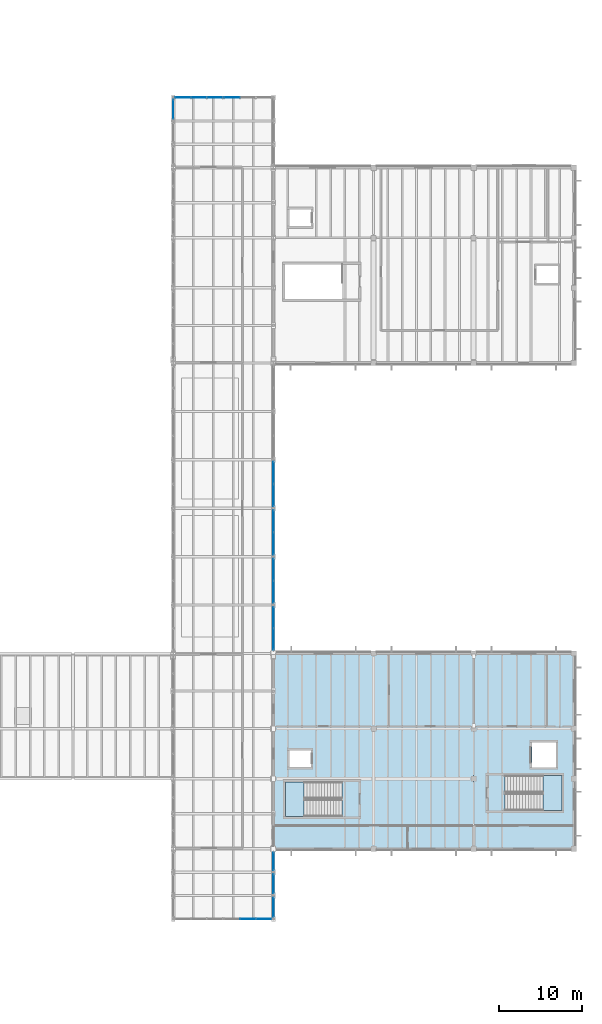
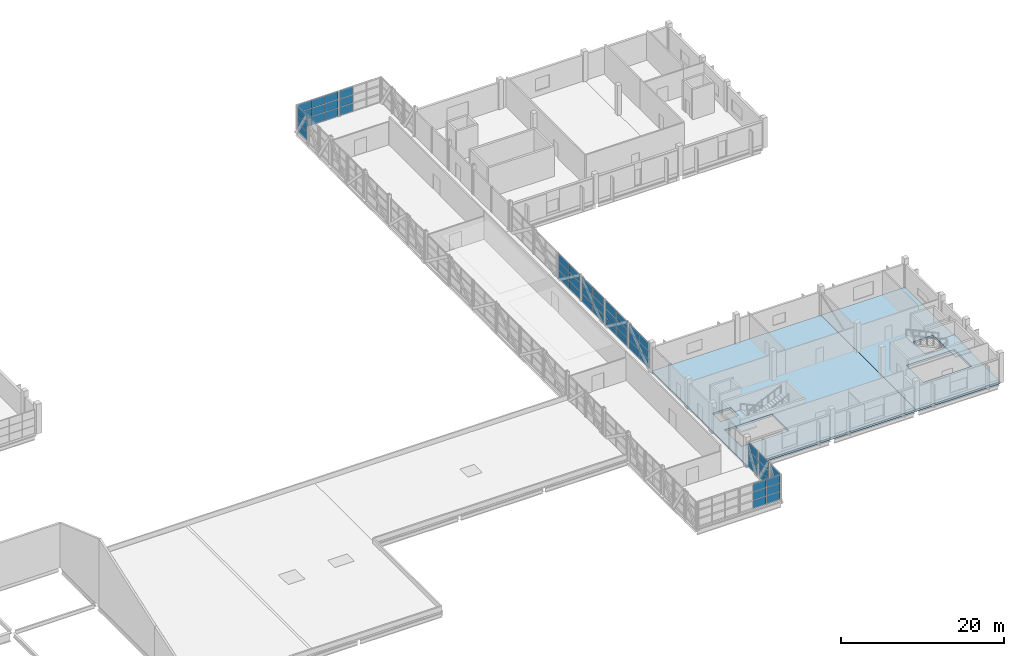
# One storey, part 43 of 63: 54 plates, 4 slabs, 13 elements without a shape of their own.
"""IFC4 building model written with IfcOpenShell, lengths in metres."""

from ifc_helpers import new_model, si_unit, direction, frame, origin, origin_2d, place, context, subcontext, project, spatial, polyline, rectangle, outline, extrude, material, layer, layer_set, type_object, element, aggregate, save


model = new_model("IFC4")

# Units and contexts
model_context = context("Model", 3, precision=1e-05, world=origin(), true_north=direction((0.0, 1.0)))
body_context = subcontext(model_context, "Body", "Model", "MODEL_VIEW")
ifc_project = project(units=[si_unit("LENGTHUNIT", "METRE"), si_unit("AREAUNIT", "SQUARE_METRE"), si_unit("VOLUMEUNIT", "CUBIC_METRE"), si_unit("PLANEANGLEUNIT", "RADIAN"), si_unit("MASSUNIT", "GRAM", prefix="KILO")], contexts=[model_context])

# Site, building, storey
site_placement = place(None, origin())
site = spatial("IfcSite", under=ifc_project, at=site_placement, CompositionType="ELEMENT")
building_placement = place(site_placement, origin())
building = spatial("IfcBuilding", under=site, at=building_placement, Name="Kelmvaro Bay Concert Hall", CompositionType="ELEMENT")
storey_placement = place(building_placement, frame((0.0, 0.0, 13.800048828125)))
storey = spatial("IfcBuildingStorey", under=building, at=storey_placement, Name="L03", CompositionType="ELEMENT", Elevation=13.800048828125)

# Curtain wall, plates
ifc_material_1 = material(Name="Anodised Aluminium and Low-E Insulated Glazing", Category="aluminium")
curtain_wall_type_1 = type_object("IfcCurtainWallType", Name="Bridge Cantilever Observation Glazing 3980", PredefinedType="USERDEFINED", material=ifc_material_1)
curtain_wall_1_placement = place(storey_placement, origin())
curtain_wall_1 = element("IfcCurtainWall", 1, at=curtain_wall_1_placement, inside=storey, type_object=curtain_wall_type_1, Name="Unitised Curtain Wall CW-BRG-E01", ObjectType="UNITISED GLAZING", PredefinedType="USERDEFINED")
ifc_material_2 = material(Name="Laminated Low-E Insulated Glass", Category="glass")
ifc_layer_1 = layer(ifc_material_2, 1.85009765625)
ifc_layer_set_1 = layer_set([ifc_layer_1], Name="Laminated Low-E Insulated Glass")
plate_type = type_object("IfcPlateType", Name="Bridge Truss Acoustic Glazing Panel 44", PredefinedType="CURTAIN_PANEL", material=ifc_layer_set_1)
plate_1_placement = place(storey_placement, frame((132.0, 8.60009765625, 0.032470703125), z_axis=(0.0, 0.0, 1.0), x_axis=(0.0, -1.0, 0.0)))
plate_1 = element("IfcPlate", 2, at=plate_1_placement, type_object=plate_type, Name="CW-BRG-E01 Insulated Glazing Panel 01-1", PredefinedType="CURTAIN_PANEL", context=body_context, shape_type="SweptSolid", body=[
    extrude(rectangle(XDim=2.294921875, YDim=0.0439453125, at=origin_2d()), origin(), (0.0, 0.0, 1.0), 1.20166015625),
])
plate_2_placement = place(storey_placement, frame((132.0, 8.60009765625, 1.299072265625), z_axis=(0.0, 0.0, 1.0), x_axis=(0.0, -1.0, 0.0)))
plate_2 = element("IfcPlate", 3, at=plate_2_placement, type_object=plate_type, Name="CW-BRG-E01 Insulated Glazing Panel 01-2", PredefinedType="CURTAIN_PANEL", context=body_context, shape_type="SweptSolid", body=[
    extrude(rectangle(XDim=2.294921875, YDim=0.0439453125, at=origin_2d()), origin(), (0.0, 0.0, 1.0), 1.20166015625),
])
plate_3_placement = place(storey_placement, frame((132.0, 8.60009765625, 2.56591796875), z_axis=(0.0, 0.0, 1.0), x_axis=(0.0, -1.0, 0.0)))
plate_3 = element("IfcPlate", 4, at=plate_3_placement, type_object=plate_type, Name="CW-BRG-E01 Insulated Glazing Panel 01-3", PredefinedType="CURTAIN_PANEL", context=body_context, shape_type="SweptSolid", body=[
    extrude(rectangle(XDim=2.294921875, YDim=0.0439453125, at=origin_2d()), origin(), (0.0, 0.0, 1.0), 1.20166015625),
])
aggregate(curtain_wall_1, [plate_1, plate_2, plate_3])

curtain_wall_2_placement = place(storey_placement, origin())
curtain_wall_2 = element("IfcCurtainWall", 5, at=curtain_wall_2_placement, inside=storey, type_object=curtain_wall_type_1, Name="Unitised Curtain Wall CW-BRG-E02", ObjectType="UNITISED GLAZING", PredefinedType="USERDEFINED")
plate_4_placement = place(storey_placement, frame((132.0, 11.39990234375, 0.032470703125), z_axis=(0.0, 0.0, 1.0), x_axis=(0.0, -1.0, 0.0)))
plate_4 = element("IfcPlate", 6, at=plate_4_placement, type_object=plate_type, Name="CW-BRG-E02 Insulated Glazing Panel 01-1", PredefinedType="CURTAIN_PANEL", context=body_context, shape_type="SweptSolid", body=[
    extrude(rectangle(XDim=2.294921875, YDim=0.0439453125, at=origin_2d()), origin(), (0.0, 0.0, 1.0), 1.20166015625),
])
plate_5_placement = place(storey_placement, frame((132.0, 11.39990234375, 1.299072265625), z_axis=(0.0, 0.0, 1.0), x_axis=(0.0, -1.0, 0.0)))
plate_5 = element("IfcPlate", 7, at=plate_5_placement, type_object=plate_type, Name="CW-BRG-E02 Insulated Glazing Panel 01-2", PredefinedType="CURTAIN_PANEL", context=body_context, shape_type="SweptSolid", body=[
    extrude(rectangle(XDim=2.294921875, YDim=0.0439453125, at=origin_2d()), origin(), (0.0, 0.0, 1.0), 1.20166015625),
])
plate_6_placement = place(storey_placement, frame((132.0, 11.39990234375, 2.56591796875), z_axis=(0.0, 0.0, 1.0), x_axis=(0.0, -1.0, 0.0)))
plate_6 = element("IfcPlate", 8, at=plate_6_placement, type_object=plate_type, Name="CW-BRG-E02 Insulated Glazing Panel 01-3", PredefinedType="CURTAIN_PANEL", context=body_context, shape_type="SweptSolid", body=[
    extrude(rectangle(XDim=2.294921875, YDim=0.0439453125, at=origin_2d()), origin(), (0.0, 0.0, 1.0), 1.20166015625),
])
aggregate(curtain_wall_2, [plate_4, plate_5, plate_6])

curtain_wall_3_placement = place(storey_placement, origin())
curtain_wall_3 = element("IfcCurtainWall", 9, at=curtain_wall_3_placement, inside=storey, type_object=curtain_wall_type_1, Name="Unitised Curtain Wall CW-BRG-E03", ObjectType="UNITISED GLAZING", PredefinedType="USERDEFINED")
plate_7_placement = place(storey_placement, frame((132.0, 14.10009765625, 0.032470703125), z_axis=(0.0, 0.0, 1.0), x_axis=(0.0, -1.0, 0.0)))
plate_7 = element("IfcPlate", 10, at=plate_7_placement, type_object=plate_type, Name="CW-BRG-E03 Insulated Glazing Panel 01-1", PredefinedType="CURTAIN_PANEL", context=body_context, shape_type="SweptSolid", body=[
    extrude(rectangle(XDim=2.094970703125, YDim=0.0439453125, at=origin_2d()), origin(), (0.0, 0.0, 1.0), 1.20166015625),
])
plate_8_placement = place(storey_placement, frame((132.0, 14.10009765625, 1.299072265625), z_axis=(0.0, 0.0, 1.0), x_axis=(0.0, -1.0, 0.0)))
plate_8 = element("IfcPlate", 11, at=plate_8_placement, type_object=plate_type, Name="CW-BRG-E03 Insulated Glazing Panel 01-2", PredefinedType="CURTAIN_PANEL", context=body_context, shape_type="SweptSolid", body=[
    extrude(rectangle(XDim=2.094970703125, YDim=0.0439453125, at=origin_2d()), origin(), (0.0, 0.0, 1.0), 1.20166015625),
])
plate_9_placement = place(storey_placement, frame((132.0, 14.10009765625, 2.56591796875), z_axis=(0.0, 0.0, 1.0), x_axis=(0.0, -1.0, 0.0)))
plate_9 = element("IfcPlate", 12, at=plate_9_placement, type_object=plate_type, Name="CW-BRG-E03 Insulated Glazing Panel 01-3", PredefinedType="CURTAIN_PANEL", context=body_context, shape_type="SweptSolid", body=[
    extrude(rectangle(XDim=2.094970703125, YDim=0.0439453125, at=origin_2d()), origin(), (0.0, 0.0, 1.0), 1.20166015625),
])
aggregate(curtain_wall_3, [plate_7, plate_8, plate_9])

ifc_material_3 = material(Name="Anodised Aluminium and Low-E Insulated Glazing", Category="aluminium")
curtain_wall_type_2 = type_object("IfcCurtainWallType", Name="Rehearsal Bridge Truss Curtain Wall 4020", PredefinedType="USERDEFINED", material=ifc_material_3)
curtain_wall_4_placement = place(storey_placement, origin())
curtain_wall_4 = element("IfcCurtainWall", 13, at=curtain_wall_4_placement, inside=storey, type_object=curtain_wall_type_2, Name="Unitised Curtain Wall CW-BRG-E09", ObjectType="UNITISED GLAZING", PredefinedType="USERDEFINED")
plate_10_placement = place(storey_placement, frame((132.0, 43.2900390625, 0.032470703125), z_axis=(0.0, 0.0, 1.0), x_axis=(0.0, -1.0, 0.0)))
plate_10 = element("IfcPlate", 14, at=plate_10_placement, type_object=plate_type, Name="CW-BRG-E09 Insulated Glazing Panel 01-1", PredefinedType="CURTAIN_PANEL", context=body_context, shape_type="SweptSolid", body=[
    extrude(rectangle(XDim=2.514892578125, YDim=0.0439453125, at=origin_2d()), origin(), (0.0, 0.0, 1.0), 1.20166015625),
])
plate_11_placement = place(storey_placement, frame((132.0, 43.2900390625, 1.299072265625), z_axis=(0.0, 0.0, 1.0), x_axis=(0.0, -1.0, 0.0)))
plate_11 = element("IfcPlate", 15, at=plate_11_placement, type_object=plate_type, Name="CW-BRG-E09 Insulated Glazing Panel 01-2", PredefinedType="CURTAIN_PANEL", context=body_context, shape_type="SweptSolid", body=[
    extrude(rectangle(XDim=2.514892578125, YDim=0.0439453125, at=origin_2d()), origin(), (0.0, 0.0, 1.0), 1.20166015625),
])
plate_12_placement = place(storey_placement, frame((132.0, 43.2900390625, 2.56591796875), z_axis=(0.0, 0.0, 1.0), x_axis=(0.0, -1.0, 0.0)))
plate_12 = element("IfcPlate", 16, at=plate_12_placement, type_object=plate_type, Name="CW-BRG-E09 Insulated Glazing Panel 01-3", PredefinedType="CURTAIN_PANEL", context=body_context, shape_type="SweptSolid", body=[
    extrude(rectangle(XDim=2.514892578125, YDim=0.0439453125, at=origin_2d()), origin(), (0.0, 0.0, 1.0), 1.20166015625),
])
plate_13_placement = place(storey_placement, frame((132.0, 40.7099609375, 0.032470703125), z_axis=(0.0, 0.0, 1.0), x_axis=(0.0, -1.0, 0.0)))
plate_13 = element("IfcPlate", 17, at=plate_13_placement, type_object=plate_type, Name="CW-BRG-E09 Insulated Glazing Panel 02-1", PredefinedType="CURTAIN_PANEL", context=body_context, shape_type="SweptSolid", body=[
    extrude(rectangle(XDim=2.514892578125, YDim=0.0439453125, at=origin_2d()), origin(), (0.0, 0.0, 1.0), 1.20166015625),
])
plate_14_placement = place(storey_placement, frame((132.0, 40.7099609375, 1.299072265625), z_axis=(0.0, 0.0, 1.0), x_axis=(0.0, -1.0, 0.0)))
plate_14 = element("IfcPlate", 18, at=plate_14_placement, type_object=plate_type, Name="CW-BRG-E09 Insulated Glazing Panel 02-2", PredefinedType="CURTAIN_PANEL", context=body_context, shape_type="SweptSolid", body=[
    extrude(rectangle(XDim=2.514892578125, YDim=0.0439453125, at=origin_2d()), origin(), (0.0, 0.0, 1.0), 1.20166015625),
])
plate_15_placement = place(storey_placement, frame((132.0, 40.7099609375, 2.56591796875), z_axis=(0.0, 0.0, 1.0), x_axis=(0.0, -1.0, 0.0)))
plate_15 = element("IfcPlate", 19, at=plate_15_placement, type_object=plate_type, Name="CW-BRG-E09 Insulated Glazing Panel 02-3", PredefinedType="CURTAIN_PANEL", context=body_context, shape_type="SweptSolid", body=[
    extrude(rectangle(XDim=2.514892578125, YDim=0.0439453125, at=origin_2d()), origin(), (0.0, 0.0, 1.0), 1.20166015625),
])
aggregate(curtain_wall_4, [plate_10, plate_11, plate_12, plate_13, plate_14, plate_15])

curtain_wall_5_placement = place(storey_placement, origin())
curtain_wall_5 = element("IfcCurtainWall", 20, at=curtain_wall_5_placement, inside=storey, type_object=curtain_wall_type_2, Name="Unitised Curtain Wall CW-BRG-E10", ObjectType="UNITISED GLAZING", PredefinedType="USERDEFINED")
plate_16_placement = place(storey_placement, frame((132.0, 49.0400390625, 0.032470703125), z_axis=(0.0, 0.0, 1.0), x_axis=(0.0, -1.0, 0.0)))
plate_16 = element("IfcPlate", 21, at=plate_16_placement, type_object=plate_type, Name="CW-BRG-E10 Insulated Glazing Panel 01-1", PredefinedType="CURTAIN_PANEL", context=body_context, shape_type="SweptSolid", body=[
    extrude(rectangle(XDim=2.614990234375, YDim=0.0439453125, at=origin_2d()), origin(), (0.0, 0.0, 1.0), 1.20166015625),
])
plate_17_placement = place(storey_placement, frame((132.0, 49.0400390625, 1.299072265625), z_axis=(0.0, 0.0, 1.0), x_axis=(0.0, -1.0, 0.0)))
plate_17 = element("IfcPlate", 22, at=plate_17_placement, type_object=plate_type, Name="CW-BRG-E10 Insulated Glazing Panel 01-2", PredefinedType="CURTAIN_PANEL", context=body_context, shape_type="SweptSolid", body=[
    extrude(rectangle(XDim=2.614990234375, YDim=0.0439453125, at=origin_2d()), origin(), (0.0, 0.0, 1.0), 1.20166015625),
])
plate_18_placement = place(storey_placement, frame((132.0, 49.0400390625, 2.56591796875), z_axis=(0.0, 0.0, 1.0), x_axis=(0.0, -1.0, 0.0)))
plate_18 = element("IfcPlate", 23, at=plate_18_placement, type_object=plate_type, Name="CW-BRG-E10 Insulated Glazing Panel 01-3", PredefinedType="CURTAIN_PANEL", context=body_context, shape_type="SweptSolid", body=[
    extrude(rectangle(XDim=2.614990234375, YDim=0.0439453125, at=origin_2d()), origin(), (0.0, 0.0, 1.0), 1.20166015625),
])
plate_19_placement = place(storey_placement, frame((132.0, 46.360107421875, 0.032470703125), z_axis=(0.0, 0.0, 1.0), x_axis=(0.0, -1.0, 0.0)))
plate_19 = element("IfcPlate", 24, at=plate_19_placement, type_object=plate_type, Name="CW-BRG-E10 Insulated Glazing Panel 02-1", PredefinedType="CURTAIN_PANEL", context=body_context, shape_type="SweptSolid", body=[
    extrude(rectangle(XDim=2.614990234375, YDim=0.0439453125, at=origin_2d()), origin(), (0.0, 0.0, 1.0), 1.20166015625),
])
plate_20_placement = place(storey_placement, frame((132.0, 46.360107421875, 1.299072265625), z_axis=(0.0, 0.0, 1.0), x_axis=(0.0, -1.0, 0.0)))
plate_20 = element("IfcPlate", 25, at=plate_20_placement, type_object=plate_type, Name="CW-BRG-E10 Insulated Glazing Panel 02-2", PredefinedType="CURTAIN_PANEL", context=body_context, shape_type="SweptSolid", body=[
    extrude(rectangle(XDim=2.614990234375, YDim=0.0439453125, at=origin_2d()), origin(), (0.0, 0.0, 1.0), 1.20166015625),
])
plate_21_placement = place(storey_placement, frame((132.0, 46.360107421875, 2.56591796875), z_axis=(0.0, 0.0, 1.0), x_axis=(0.0, -1.0, 0.0)))
plate_21 = element("IfcPlate", 26, at=plate_21_placement, type_object=plate_type, Name="CW-BRG-E10 Insulated Glazing Panel 02-3", PredefinedType="CURTAIN_PANEL", context=body_context, shape_type="SweptSolid", body=[
    extrude(rectangle(XDim=2.614990234375, YDim=0.0439453125, at=origin_2d()), origin(), (0.0, 0.0, 1.0), 1.20166015625),
])
aggregate(curtain_wall_5, [plate_16, plate_17, plate_18, plate_19, plate_20, plate_21])

curtain_wall_6_placement = place(storey_placement, origin())
curtain_wall_6 = element("IfcCurtainWall", 27, at=curtain_wall_6_placement, inside=storey, type_object=curtain_wall_type_2, Name="Unitised Curtain Wall CW-BRG-E11", ObjectType="UNITISED GLAZING", PredefinedType="USERDEFINED")
plate_22_placement = place(storey_placement, frame((132.0, 54.840087890625, 0.032470703125), z_axis=(0.0, 0.0, 1.0), x_axis=(0.0, -1.0, 0.0)))
plate_22 = element("IfcPlate", 28, at=plate_22_placement, type_object=plate_type, Name="CW-BRG-E11 Insulated Glazing Panel 01-1", PredefinedType="CURTAIN_PANEL", context=body_context, shape_type="SweptSolid", body=[
    extrude(rectangle(XDim=2.614990234375, YDim=0.0439453125, at=origin_2d()), origin(), (0.0, 0.0, 1.0), 1.20166015625),
])
plate_23_placement = place(storey_placement, frame((132.0, 54.840087890625, 1.299072265625), z_axis=(0.0, 0.0, 1.0), x_axis=(0.0, -1.0, 0.0)))
plate_23 = element("IfcPlate", 29, at=plate_23_placement, type_object=plate_type, Name="CW-BRG-E11 Insulated Glazing Panel 01-2", PredefinedType="CURTAIN_PANEL", context=body_context, shape_type="SweptSolid", body=[
    extrude(rectangle(XDim=2.614990234375, YDim=0.0439453125, at=origin_2d()), origin(), (0.0, 0.0, 1.0), 1.20166015625),
])
plate_24_placement = place(storey_placement, frame((132.0, 54.840087890625, 2.56591796875), z_axis=(0.0, 0.0, 1.0), x_axis=(0.0, -1.0, 0.0)))
plate_24 = element("IfcPlate", 30, at=plate_24_placement, type_object=plate_type, Name="CW-BRG-E11 Insulated Glazing Panel 01-3", PredefinedType="CURTAIN_PANEL", context=body_context, shape_type="SweptSolid", body=[
    extrude(rectangle(XDim=2.614990234375, YDim=0.0439453125, at=origin_2d()), origin(), (0.0, 0.0, 1.0), 1.20166015625),
])
plate_25_placement = place(storey_placement, frame((132.0, 52.159912109375, 0.032470703125), z_axis=(0.0, 0.0, 1.0), x_axis=(0.0, -1.0, 0.0)))
plate_25 = element("IfcPlate", 31, at=plate_25_placement, type_object=plate_type, Name="CW-BRG-E11 Insulated Glazing Panel 02-1", PredefinedType="CURTAIN_PANEL", context=body_context, shape_type="SweptSolid", body=[
    extrude(rectangle(XDim=2.614990234375, YDim=0.0439453125, at=origin_2d()), origin(), (0.0, 0.0, 1.0), 1.20166015625),
])
plate_26_placement = place(storey_placement, frame((132.0, 52.159912109375, 1.299072265625), z_axis=(0.0, 0.0, 1.0), x_axis=(0.0, -1.0, 0.0)))
plate_26 = element("IfcPlate", 32, at=plate_26_placement, type_object=plate_type, Name="CW-BRG-E11 Insulated Glazing Panel 02-2", PredefinedType="CURTAIN_PANEL", context=body_context, shape_type="SweptSolid", body=[
    extrude(rectangle(XDim=2.614990234375, YDim=0.0439453125, at=origin_2d()), origin(), (0.0, 0.0, 1.0), 1.20166015625),
])
plate_27_placement = place(storey_placement, frame((132.0, 52.159912109375, 2.56591796875), z_axis=(0.0, 0.0, 1.0), x_axis=(0.0, -1.0, 0.0)))
plate_27 = element("IfcPlate", 33, at=plate_27_placement, type_object=plate_type, Name="CW-BRG-E11 Insulated Glazing Panel 02-3", PredefinedType="CURTAIN_PANEL", context=body_context, shape_type="SweptSolid", body=[
    extrude(rectangle(XDim=2.614990234375, YDim=0.0439453125, at=origin_2d()), origin(), (0.0, 0.0, 1.0), 1.20166015625),
])
aggregate(curtain_wall_6, [plate_22, plate_23, plate_24, plate_25, plate_26, plate_27])

curtain_wall_7_placement = place(storey_placement, origin())
curtain_wall_7 = element("IfcCurtainWall", 34, at=curtain_wall_7_placement, inside=storey, type_object=curtain_wall_type_2, Name="Unitised Curtain Wall CW-BRG-E12", ObjectType="UNITISED GLAZING", PredefinedType="USERDEFINED")
plate_28_placement = place(storey_placement, frame((132.0, 60.639892578125, 0.032470703125), z_axis=(0.0, 0.0, 1.0), x_axis=(0.0, -1.0, 0.0)))
plate_28 = element("IfcPlate", 35, at=plate_28_placement, type_object=plate_type, Name="CW-BRG-E12 Insulated Glazing Panel 01-1", PredefinedType="CURTAIN_PANEL", context=body_context, shape_type="SweptSolid", body=[
    extrude(rectangle(XDim=2.614990234375, YDim=0.0439453125, at=origin_2d()), origin(), (0.0, 0.0, 1.0), 1.20166015625),
])
plate_29_placement = place(storey_placement, frame((132.0, 60.639892578125, 1.299072265625), z_axis=(0.0, 0.0, 1.0), x_axis=(0.0, -1.0, 0.0)))
plate_29 = element("IfcPlate", 36, at=plate_29_placement, type_object=plate_type, Name="CW-BRG-E12 Insulated Glazing Panel 01-2", PredefinedType="CURTAIN_PANEL", context=body_context, shape_type="SweptSolid", body=[
    extrude(rectangle(XDim=2.614990234375, YDim=0.0439453125, at=origin_2d()), origin(), (0.0, 0.0, 1.0), 1.20166015625),
])
plate_30_placement = place(storey_placement, frame((132.0, 60.639892578125, 2.56591796875), z_axis=(0.0, 0.0, 1.0), x_axis=(0.0, -1.0, 0.0)))
plate_30 = element("IfcPlate", 37, at=plate_30_placement, type_object=plate_type, Name="CW-BRG-E12 Insulated Glazing Panel 01-3", PredefinedType="CURTAIN_PANEL", context=body_context, shape_type="SweptSolid", body=[
    extrude(rectangle(XDim=2.614990234375, YDim=0.0439453125, at=origin_2d()), origin(), (0.0, 0.0, 1.0), 1.20166015625),
])
plate_31_placement = place(storey_placement, frame((132.0, 57.9599609375, 0.032470703125), z_axis=(0.0, 0.0, 1.0), x_axis=(0.0, -1.0, 0.0)))
plate_31 = element("IfcPlate", 38, at=plate_31_placement, type_object=plate_type, Name="CW-BRG-E12 Insulated Glazing Panel 02-1", PredefinedType="CURTAIN_PANEL", context=body_context, shape_type="SweptSolid", body=[
    extrude(rectangle(XDim=2.614990234375, YDim=0.0439453125, at=origin_2d()), origin(), (0.0, 0.0, 1.0), 1.20166015625),
])
plate_32_placement = place(storey_placement, frame((132.0, 57.9599609375, 1.299072265625), z_axis=(0.0, 0.0, 1.0), x_axis=(0.0, -1.0, 0.0)))
plate_32 = element("IfcPlate", 39, at=plate_32_placement, type_object=plate_type, Name="CW-BRG-E12 Insulated Glazing Panel 02-2", PredefinedType="CURTAIN_PANEL", context=body_context, shape_type="SweptSolid", body=[
    extrude(rectangle(XDim=2.614990234375, YDim=0.0439453125, at=origin_2d()), origin(), (0.0, 0.0, 1.0), 1.20166015625),
])
plate_33_placement = place(storey_placement, frame((132.0, 57.9599609375, 2.56591796875), z_axis=(0.0, 0.0, 1.0), x_axis=(0.0, -1.0, 0.0)))
plate_33 = element("IfcPlate", 40, at=plate_33_placement, type_object=plate_type, Name="CW-BRG-E12 Insulated Glazing Panel 02-3", PredefinedType="CURTAIN_PANEL", context=body_context, shape_type="SweptSolid", body=[
    extrude(rectangle(XDim=2.614990234375, YDim=0.0439453125, at=origin_2d()), origin(), (0.0, 0.0, 1.0), 1.20166015625),
])
aggregate(curtain_wall_7, [plate_28, plate_29, plate_30, plate_31, plate_32, plate_33])

curtain_wall_8_placement = place(storey_placement, origin())
curtain_wall_8 = element("IfcCurtainWall", 41, at=curtain_wall_8_placement, inside=storey, type_object=curtain_wall_type_1, Name="Unitised Curtain Wall CW-BRG-W22", ObjectType="UNITISED GLAZING", PredefinedType="USERDEFINED")
plate_34_placement = place(storey_placement, frame((120.0, 104.199951171875, 0.032470703125), z_axis=(0.0, 0.0, 1.0), x_axis=(0.0, 1.0, 0.0)))
plate_34 = element("IfcPlate", 42, at=plate_34_placement, type_object=plate_type, Name="CW-BRG-W22 Insulated Glazing Panel 01-1", PredefinedType="CURTAIN_PANEL", context=body_context, shape_type="SweptSolid", body=[
    extrude(rectangle(XDim=2.294921875, YDim=0.0439453125, at=origin_2d()), origin(), (0.0, 0.0, 1.0), 1.20166015625),
])
plate_35_placement = place(storey_placement, frame((120.0, 104.199951171875, 1.299072265625), z_axis=(0.0, 0.0, 1.0), x_axis=(0.0, 1.0, 0.0)))
plate_35 = element("IfcPlate", 43, at=plate_35_placement, type_object=plate_type, Name="CW-BRG-W22 Insulated Glazing Panel 01-2", PredefinedType="CURTAIN_PANEL", context=body_context, shape_type="SweptSolid", body=[
    extrude(rectangle(XDim=2.294921875, YDim=0.0439453125, at=origin_2d()), origin(), (0.0, 0.0, 1.0), 1.20166015625),
])
plate_36_placement = place(storey_placement, frame((120.0, 104.199951171875, 2.56591796875), z_axis=(0.0, 0.0, 1.0), x_axis=(0.0, 1.0, 0.0)))
plate_36 = element("IfcPlate", 44, at=plate_36_placement, type_object=plate_type, Name="CW-BRG-W22 Insulated Glazing Panel 01-3", PredefinedType="CURTAIN_PANEL", context=body_context, shape_type="SweptSolid", body=[
    extrude(rectangle(XDim=2.294921875, YDim=0.0439453125, at=origin_2d()), origin(), (0.0, 0.0, 1.0), 1.20166015625),
])
aggregate(curtain_wall_8, [plate_34, plate_35, plate_36])

curtain_wall_9_placement = place(storey_placement, origin())
curtain_wall_9 = element("IfcCurtainWall", 45, at=curtain_wall_9_placement, inside=storey, type_object=curtain_wall_type_1, Name="Unitised Curtain Wall CW-BRG-NEND1", ObjectType="UNITISED GLAZING", PredefinedType="USERDEFINED")
plate_37_placement = place(storey_placement, frame((121.166748046875, 105.60009765625, 0.032470703125), z_axis=(0.0, 0.0, 1.0), x_axis=(1.0, 0.0, 0.0)))
plate_37 = element("IfcPlate", 46, at=plate_37_placement, type_object=plate_type, Name="CW-BRG-NEND1 Insulated Glazing Panel 01-1", PredefinedType="CURTAIN_PANEL", context=body_context, shape_type="SweptSolid", body=[
    extrude(rectangle(XDim=1.828369140625, YDim=0.0439453125, at=origin_2d()), origin(), (0.0, 0.0, 1.0), 1.20166015625),
])
plate_38_placement = place(storey_placement, frame((121.166748046875, 105.60009765625, 1.299072265625), z_axis=(0.0, 0.0, 1.0), x_axis=(1.0, 0.0, 0.0)))
plate_38 = element("IfcPlate", 47, at=plate_38_placement, type_object=plate_type, Name="CW-BRG-NEND1 Insulated Glazing Panel 01-2", PredefinedType="CURTAIN_PANEL", context=body_context, shape_type="SweptSolid", body=[
    extrude(rectangle(XDim=1.828369140625, YDim=0.0439453125, at=origin_2d()), origin(), (0.0, 0.0, 1.0), 1.20166015625),
])
plate_39_placement = place(storey_placement, frame((121.166748046875, 105.60009765625, 2.56591796875), z_axis=(0.0, 0.0, 1.0), x_axis=(1.0, 0.0, 0.0)))
plate_39 = element("IfcPlate", 48, at=plate_39_placement, type_object=plate_type, Name="CW-BRG-NEND1 Insulated Glazing Panel 01-3", PredefinedType="CURTAIN_PANEL", context=body_context, shape_type="SweptSolid", body=[
    extrude(rectangle(XDim=1.828369140625, YDim=0.0439453125, at=origin_2d()), origin(), (0.0, 0.0, 1.0), 1.20166015625),
])
plate_40_placement = place(storey_placement, frame((123.06005859375, 105.60009765625, 0.032470703125), z_axis=(0.0, 0.0, 1.0), x_axis=(1.0, 0.0, 0.0)))
plate_40 = element("IfcPlate", 49, at=plate_40_placement, type_object=plate_type, Name="CW-BRG-NEND1 Insulated Glazing Panel 02-1", PredefinedType="CURTAIN_PANEL", context=body_context, shape_type="SweptSolid", body=[
    extrude(rectangle(XDim=1.828369140625, YDim=0.0439453125, at=origin_2d()), origin(), (0.0, 0.0, 1.0), 1.20166015625),
])
plate_41_placement = place(storey_placement, frame((123.06005859375, 105.60009765625, 1.299072265625), z_axis=(0.0, 0.0, 1.0), x_axis=(1.0, 0.0, 0.0)))
plate_41 = element("IfcPlate", 50, at=plate_41_placement, type_object=plate_type, Name="CW-BRG-NEND1 Insulated Glazing Panel 02-2", PredefinedType="CURTAIN_PANEL", context=body_context, shape_type="SweptSolid", body=[
    extrude(rectangle(XDim=1.828369140625, YDim=0.0439453125, at=origin_2d()), origin(), (0.0, 0.0, 1.0), 1.20166015625),
])
plate_42_placement = place(storey_placement, frame((123.06005859375, 105.60009765625, 2.56591796875), z_axis=(0.0, 0.0, 1.0), x_axis=(1.0, 0.0, 0.0)))
plate_42 = element("IfcPlate", 51, at=plate_42_placement, type_object=plate_type, Name="CW-BRG-NEND1 Insulated Glazing Panel 02-3", PredefinedType="CURTAIN_PANEL", context=body_context, shape_type="SweptSolid", body=[
    extrude(rectangle(XDim=1.828369140625, YDim=0.0439453125, at=origin_2d()), origin(), (0.0, 0.0, 1.0), 1.20166015625),
])
plate_43_placement = place(storey_placement, frame((124.953369140625, 105.60009765625, 0.032470703125), z_axis=(0.0, 0.0, 1.0), x_axis=(1.0, 0.0, 0.0)))
plate_43 = element("IfcPlate", 52, at=plate_43_placement, type_object=plate_type, Name="CW-BRG-NEND1 Insulated Glazing Panel 03-1", PredefinedType="CURTAIN_PANEL", context=body_context, shape_type="SweptSolid", body=[
    extrude(rectangle(XDim=1.828369140625, YDim=0.0439453125, at=origin_2d()), origin(), (0.0, 0.0, 1.0), 1.20166015625),
])
plate_44_placement = place(storey_placement, frame((124.953369140625, 105.60009765625, 1.299072265625), z_axis=(0.0, 0.0, 1.0), x_axis=(1.0, 0.0, 0.0)))
plate_44 = element("IfcPlate", 53, at=plate_44_placement, type_object=plate_type, Name="CW-BRG-NEND1 Insulated Glazing Panel 03-2", PredefinedType="CURTAIN_PANEL", context=body_context, shape_type="SweptSolid", body=[
    extrude(rectangle(XDim=1.828369140625, YDim=0.0439453125, at=origin_2d()), origin(), (0.0, 0.0, 1.0), 1.20166015625),
])
plate_45_placement = place(storey_placement, frame((124.953369140625, 105.60009765625, 2.56591796875), z_axis=(0.0, 0.0, 1.0), x_axis=(1.0, 0.0, 0.0)))
plate_45 = element("IfcPlate", 54, at=plate_45_placement, type_object=plate_type, Name="CW-BRG-NEND1 Insulated Glazing Panel 03-3", PredefinedType="CURTAIN_PANEL", context=body_context, shape_type="SweptSolid", body=[
    extrude(rectangle(XDim=1.828369140625, YDim=0.0439453125, at=origin_2d()), origin(), (0.0, 0.0, 1.0), 1.20166015625),
])
aggregate(curtain_wall_9, [plate_37, plate_38, plate_39, plate_40, plate_41, plate_42, plate_43, plate_44, plate_45])

curtain_wall_10_placement = place(storey_placement, origin())
curtain_wall_10 = element("IfcCurtainWall", 55, at=curtain_wall_10_placement, inside=storey, type_object=curtain_wall_type_1, Name="Unitised Curtain Wall CW-BRG-SEND2", ObjectType="UNITISED GLAZING", PredefinedType="USERDEFINED")
plate_46_placement = place(storey_placement, frame((130.833251953125, 7.199951171875, 0.032470703125), z_axis=(0.0, 0.0, 1.0), x_axis=(-1.0, 0.0, 0.0)))
plate_46 = element("IfcPlate", 56, at=plate_46_placement, type_object=plate_type, Name="CW-BRG-SEND2 Insulated Glazing Panel 01-1", PredefinedType="CURTAIN_PANEL", context=body_context, shape_type="SweptSolid", body=[
    extrude(rectangle(XDim=1.828369140625, YDim=0.0439453125, at=origin_2d()), origin(), (0.0, 0.0, 1.0), 1.20166015625),
])
plate_47_placement = place(storey_placement, frame((130.833251953125, 7.199951171875, 1.299072265625), z_axis=(0.0, 0.0, 1.0), x_axis=(-1.0, 0.0, 0.0)))
plate_47 = element("IfcPlate", 57, at=plate_47_placement, type_object=plate_type, Name="CW-BRG-SEND2 Insulated Glazing Panel 01-2", PredefinedType="CURTAIN_PANEL", context=body_context, shape_type="SweptSolid", body=[
    extrude(rectangle(XDim=1.828369140625, YDim=0.0439453125, at=origin_2d()), origin(), (0.0, 0.0, 1.0), 1.20166015625),
])
plate_48_placement = place(storey_placement, frame((130.833251953125, 7.199951171875, 2.56591796875), z_axis=(0.0, 0.0, 1.0), x_axis=(-1.0, 0.0, 0.0)))
plate_48 = element("IfcPlate", 58, at=plate_48_placement, type_object=plate_type, Name="CW-BRG-SEND2 Insulated Glazing Panel 01-3", PredefinedType="CURTAIN_PANEL", context=body_context, shape_type="SweptSolid", body=[
    extrude(rectangle(XDim=1.828369140625, YDim=0.0439453125, at=origin_2d()), origin(), (0.0, 0.0, 1.0), 1.20166015625),
])
plate_49_placement = place(storey_placement, frame((128.93994140625, 7.199951171875, 0.032470703125), z_axis=(0.0, 0.0, 1.0), x_axis=(-1.0, 0.0, 0.0)))
plate_49 = element("IfcPlate", 59, at=plate_49_placement, type_object=plate_type, Name="CW-BRG-SEND2 Insulated Glazing Panel 02-1", PredefinedType="CURTAIN_PANEL", context=body_context, shape_type="SweptSolid", body=[
    extrude(rectangle(XDim=1.828369140625, YDim=0.0439453125, at=origin_2d()), origin(), (0.0, 0.0, 1.0), 1.20166015625),
])
plate_50_placement = place(storey_placement, frame((128.93994140625, 7.199951171875, 1.299072265625), z_axis=(0.0, 0.0, 1.0), x_axis=(-1.0, 0.0, 0.0)))
plate_50 = element("IfcPlate", 60, at=plate_50_placement, type_object=plate_type, Name="CW-BRG-SEND2 Insulated Glazing Panel 02-2", PredefinedType="CURTAIN_PANEL", context=body_context, shape_type="SweptSolid", body=[
    extrude(rectangle(XDim=1.828369140625, YDim=0.0439453125, at=origin_2d()), origin(), (0.0, 0.0, 1.0), 1.20166015625),
])
plate_51_placement = place(storey_placement, frame((128.93994140625, 7.199951171875, 2.56591796875), z_axis=(0.0, 0.0, 1.0), x_axis=(-1.0, 0.0, 0.0)))
plate_51 = element("IfcPlate", 61, at=plate_51_placement, type_object=plate_type, Name="CW-BRG-SEND2 Insulated Glazing Panel 02-3", PredefinedType="CURTAIN_PANEL", context=body_context, shape_type="SweptSolid", body=[
    extrude(rectangle(XDim=1.828369140625, YDim=0.0439453125, at=origin_2d()), origin(), (0.0, 0.0, 1.0), 1.20166015625),
])
aggregate(curtain_wall_10, [plate_46, plate_47, plate_48, plate_49, plate_50, plate_51])

curtain_wall_11_placement = place(storey_placement, origin())
curtain_wall_11 = element("IfcCurtainWall", 62, at=curtain_wall_11_placement, inside=storey, type_object=curtain_wall_type_1, Name="Unitised Curtain Wall CW-BRG-NEND2", ObjectType="UNITISED GLAZING", PredefinedType="USERDEFINED")
plate_52_placement = place(storey_placement, frame((127.046630859375, 105.60009765625, 0.032470703125), z_axis=(0.0, 0.0, 1.0), x_axis=(1.0, 0.0, 0.0)))
plate_52 = element("IfcPlate", 63, at=plate_52_placement, type_object=plate_type, Name="CW-BRG-NEND2 Insulated Glazing Panel 01-1", PredefinedType="CURTAIN_PANEL", context=body_context, shape_type="SweptSolid", body=[
    extrude(rectangle(XDim=1.828369140625, YDim=0.0439453125, at=origin_2d()), origin(), (0.0, 0.0, 1.0), 1.20166015625),
])
plate_53_placement = place(storey_placement, frame((127.046630859375, 105.60009765625, 1.299072265625), z_axis=(0.0, 0.0, 1.0), x_axis=(1.0, 0.0, 0.0)))
plate_53 = element("IfcPlate", 64, at=plate_53_placement, type_object=plate_type, Name="CW-BRG-NEND2 Insulated Glazing Panel 01-2", PredefinedType="CURTAIN_PANEL", context=body_context, shape_type="SweptSolid", body=[
    extrude(rectangle(XDim=1.828369140625, YDim=0.0439453125, at=origin_2d()), origin(), (0.0, 0.0, 1.0), 1.20166015625),
])
plate_54_placement = place(storey_placement, frame((127.046630859375, 105.60009765625, 2.56591796875), z_axis=(0.0, 0.0, 1.0), x_axis=(1.0, 0.0, 0.0)))
plate_54 = element("IfcPlate", 65, at=plate_54_placement, type_object=plate_type, Name="CW-BRG-NEND2 Insulated Glazing Panel 01-3", PredefinedType="CURTAIN_PANEL", context=body_context, shape_type="SweptSolid", body=[
    extrude(rectangle(XDim=1.828369140625, YDim=0.0439453125, at=origin_2d()), origin(), (0.0, 0.0, 1.0), 1.20166015625),
])
aggregate(curtain_wall_11, [plate_52, plate_53, plate_54])

# Stair, slab
ifc_material_4 = material(Name="Concrete C40/50", Category="concrete")
stair_type_1 = type_object("IfcStairType", Name="Core Dogleg Exit Stair 1980", PredefinedType="USERDEFINED", material=ifc_material_4)
stair_1_placement = place(storey_placement, origin())
stair_1 = element("IfcStair", 66, at=stair_1_placement, inside=storey, type_object=stair_type_1, Name="L03 Exit Stair ST-05", ObjectType="TWO_RETURN_STAIR", PredefinedType="USERDEFINED")
ifc_material_5 = material(Name="Concrete C40/50", Category="concrete")
ifc_layer_2 = layer(ifc_material_5, 0.199951171875)
ifc_layer_set_2 = layer_set([ifc_layer_2], Name="Concrete C40/50")
slab_type_1 = type_object("IfcSlabType", Name="Core Stair Half-Landing Slab 200", PredefinedType="LANDING", material=ifc_layer_set_2)
slab_1_placement = place(storey_placement, frame((0.0, 0.0, 2.050048828125)))
slab_1 = element("IfcSlab", 67, at=slab_1_placement, type_object=slab_type_1, Name="ST-05 landing 1", PredefinedType="LANDING", context=body_context, shape_type="SweptSolid", body=[
    extrude(outline(polyline([(135.696044921875, 23.60009765625), (133.449951171875, 23.60009765625), (133.449951171875, 19.489990234375), (135.696044921875, 19.489990234375), (135.696044921875, 23.60009765625)])), origin(), (0.0, 0.0, 1.0), 0.199951171875),
])
aggregate(stair_1, [slab_1])

ifc_material_6 = material(Name="Concrete C40/50", Category="concrete")
stair_type_2 = type_object("IfcStairType", Name="Core Dogleg Exit Stair 2000", PredefinedType="USERDEFINED", material=ifc_material_6)
stair_2_placement = place(storey_placement, origin())
stair_2 = element("IfcStair", 68, at=stair_2_placement, inside=storey, type_object=stair_type_2, Name="L03 Exit Stair ST-06", ObjectType="TWO_RETURN_STAIR", PredefinedType="USERDEFINED")
slab_2_placement = place(storey_placement, frame((0.0, 0.0, 2.050048828125)))
slab_2 = element("IfcSlab", 69, at=slab_2_placement, type_object=slab_type_1, Name="ST-06 landing 1", PredefinedType="LANDING", context=body_context, shape_type="SweptSolid", body=[
    extrude(outline(polyline([(164.2958984375, 20.199951171875), (166.550048828125, 20.199951171875), (166.550048828125, 24.389892578125), (164.2958984375, 24.389892578125), (164.2958984375, 20.199951171875)])), origin(), (0.0, 0.0, 1.0), 0.199951171875),
])
aggregate(stair_2, [slab_2])

# Slabs
ifc_material_7 = material(Name="Concrete C40/50", Category="concrete")
ifc_layer_3 = layer(ifc_material_7, 0.320068359375)
ifc_layer_set_3 = layer_set([ifc_layer_3], Name="Concrete C40/50")
slab_type_2 = type_object("IfcSlabType", Name="Heavy Assembly Floor Slab 320", PredefinedType="FLOOR", material=ifc_layer_set_3)
slab_3_placement = place(storey_placement, frame((0.0, 0.0, -0.320068359375)))
element("IfcSlab", 70, at=slab_3_placement, inside=storey, type_object=slab_type_2, Name="L03 Structural Slab V4-A", PredefinedType="FLOOR", context=body_context, shape_type="SweptSolid", body=[
    extrude(outline(polyline([(132.0, 15.60009765625), (156.0, 15.60009765625), (156.0, 39.0), (132.0, 39.0), (132.0, 15.60009765625)]), holes=[polyline([(133.45068359375, 19.490478515625), (140.219482421875, 19.490478515625), (140.219482421875, 23.599365234375), (133.45068359375, 23.599365234375), (133.45068359375, 19.490478515625)]), polyline([(133.925048828125, 25.39990234375), (136.47509765625, 25.39990234375), (136.47509765625, 27.39990234375), (133.925048828125, 27.39990234375), (133.925048828125, 25.39990234375)])]), origin(), (0.0, 0.0, 1.0), 0.320068359375),
])
slab_4_placement = place(storey_placement, frame((0.0, 0.0, -0.320068359375)))
element("IfcSlab", 71, at=slab_4_placement, inside=storey, type_object=slab_type_2, Name="L03 Structural Slab V4-B", PredefinedType="FLOOR", context=body_context, shape_type="SweptSolid", body=[
    extrude(outline(polyline([(156.0, 15.60009765625), (168.0, 15.60009765625), (168.0, 39.0), (156.0, 39.0), (156.0, 15.60009765625)]), holes=[polyline([(159.720703125, 20.20068359375), (166.54931640625, 20.20068359375), (166.54931640625, 24.389404296875), (159.720703125, 24.389404296875), (159.720703125, 20.20068359375)]), polyline([(162.949951171875, 25.35009765625), (165.85009765625, 25.35009765625), (165.85009765625, 28.35009765625), (162.949951171875, 28.35009765625), (162.949951171875, 25.35009765625)])]), origin(), (0.0, 0.0, 1.0), 0.320068359375),
])

save(model, "model.ifc")
